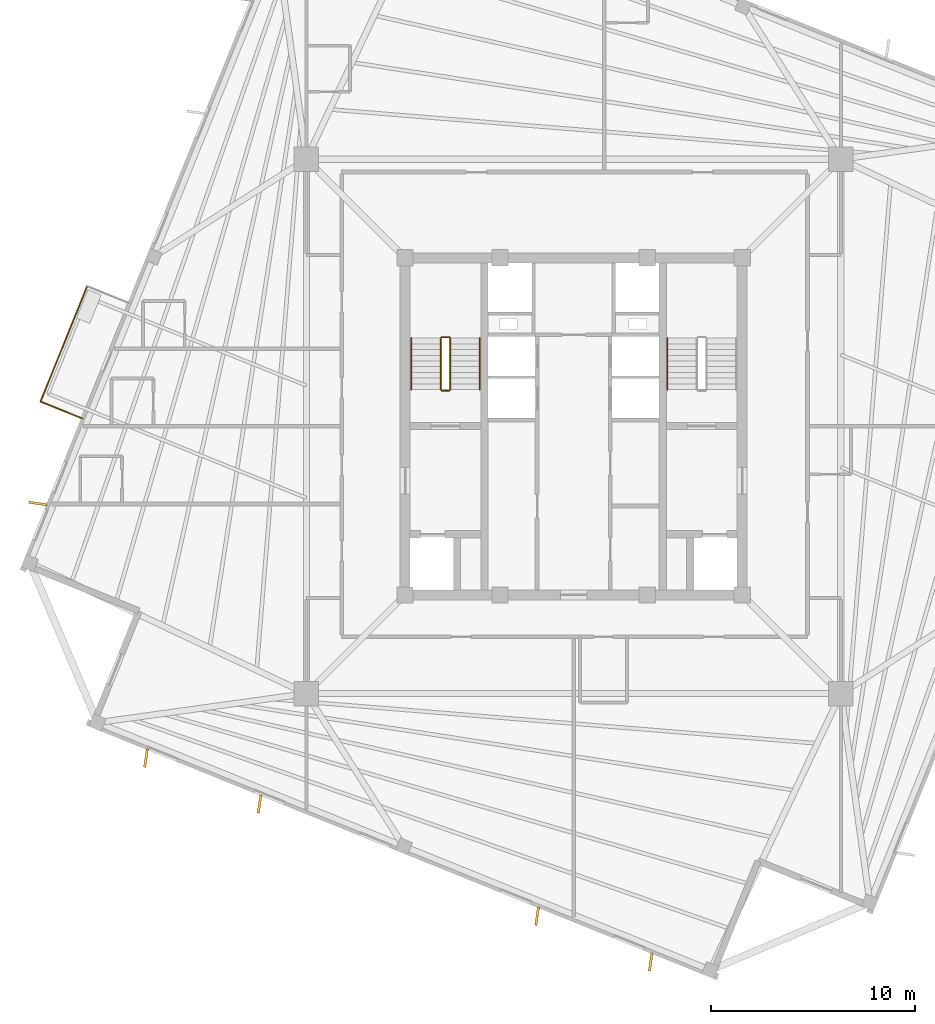
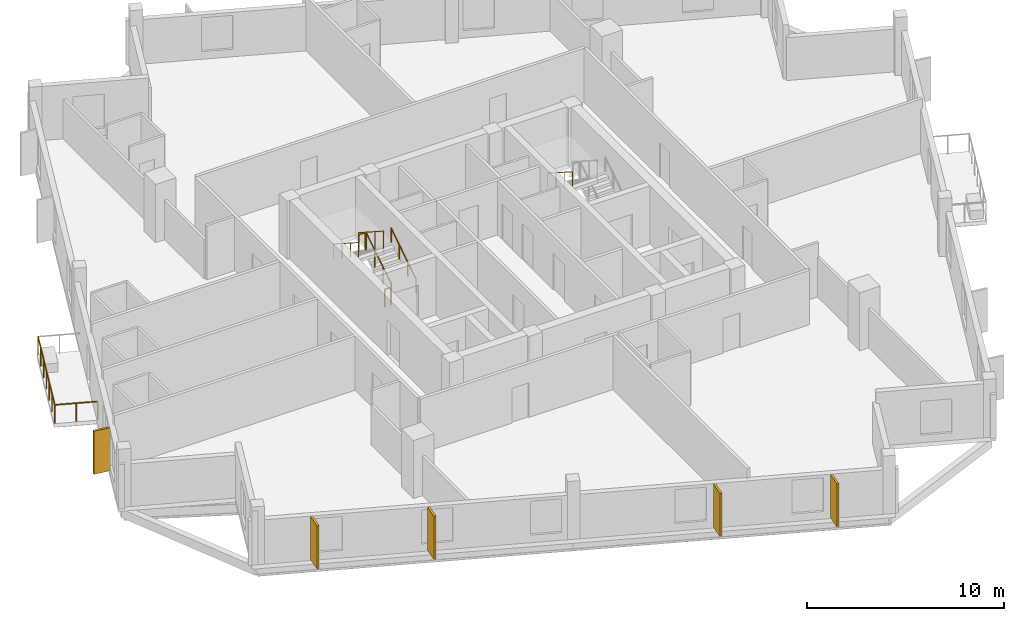
# One storey, part 6 of 8: 9 railings, 5 coverings.
"""IFC4 building model written with IfcOpenShell, lengths in metres."""

from ifc_helpers import new_model, si_unit, direction, frame, origin, origin_2d, place, context, subcontext, project, spatial, rectangle, circle, extrude, source, transform, mapped, material, layer, layer_set, type_object, element, save


model = new_model("IFC4")

# Units and contexts
model_context = context("Model", 3, precision=1e-05, world=origin(), true_north=direction((0.0, 1.0)))
body_context = subcontext(model_context, "Body", "Model", "MODEL_VIEW")
ifc_project = project(units=[si_unit("LENGTHUNIT", "METRE"), si_unit("AREAUNIT", "SQUARE_METRE"), si_unit("VOLUMEUNIT", "CUBIC_METRE"), si_unit("PLANEANGLEUNIT", "RADIAN"), si_unit("MASSUNIT", "GRAM", prefix="KILO"), si_unit("THERMODYNAMICTEMPERATUREUNIT", "KELVIN")], contexts=[model_context])

# Site, building, storey
site_placement = place(None, origin())
site = spatial("IfcSite", under=ifc_project, at=site_placement, CompositionType="ELEMENT")
building_placement = place(site_placement, origin())
building = spatial("IfcBuilding", under=site, at=building_placement, Name="Kosmvard Interchange Tower", CompositionType="ELEMENT")
storey_placement = place(building_placement, frame((0.0, 0.0, 290.39990234375)))
storey = spatial("IfcBuildingStorey", under=building, at=storey_placement, Name="L71", CompositionType="ELEMENT", Elevation=290.39990234375)

# Railing
ifc_material_1 = material(Name="Steel S355", Category="steel")
railing_type_1 = type_object("IfcRailingType", Name="Observation & Balcony Glass-Infill Balustrade 1150", PredefinedType="BALUSTRADE", material=ifc_material_1)
shared_shape_1 = source(origin(), body_context, "Body", "SweptSolid", [
    extrude(circle(Radius=0.02392578125, at=origin_2d()), frame((0.0, 0.0, 1.1259765625), z_axis=(0.927208487558, -0.374545618852, 0.0), x_axis=(0.374545618852, 0.927208487558, 0.0)), (0.0, 0.0, 1.0), 2.199951171875),
    extrude(circle(Radius=0.02099609375, at=origin_2d()), origin(), (0.0, 0.0, 1.0), 1.101806640625),
    extrude(circle(Radius=0.02099609375, at=origin_2d()), frame((1.02001953125, -0.412109375, 0.0)), (0.0, 0.0, 1.0), 1.101806640625),
    extrude(circle(Radius=0.02099609375, at=origin_2d()), frame((2.039794921875, -0.823974609375, 0.0)), (0.0, 0.0, 1.0), 1.101806640625),
])
railing_1_placement = place(storey_placement, frame((-26.095458984375, 1.2138671875, 0.0)))
element("IfcRailing", 1, at=railing_1_placement, inside=storey, type_object=railing_type_1, Name="L71 Outdoor Terrace Guard BAL-L71-NE-C", PredefinedType="BALUSTRADE", context=body_context, shape_type="MappedRepresentation", body=[
    mapped(shared_shape_1, transform((0.0, 0.0, 0.0), scale=1.0)),
])

# Coverings
ifc_material_2 = material(Name="Architectural anodised aluminium", Category="aluminium")
ifc_layer = layer(ifc_material_2, 0.1201171875, Name="Architectural anodised aluminium")
ifc_layer_set = layer_set([ifc_layer], Name="Architectural anodised aluminium")
covering_type = type_object("IfcCoveringType", Name="Rotating Vertical Sun-Breaker Fin 900x120 Aluminium", PredefinedType="CLADDING", material=ifc_layer_set)
shared_shape_2 = source(origin(), body_context, "Body", "SweptSolid", [
    extrude(rectangle(XDim=0.89990234375, YDim=0.1201171875, at=origin_2d()), origin(), (0.0, 0.0, 1.0), 2.669921875),
])
for number, where, z_axis, x_axis, name in (
    (2, (-26.223876953125, -3.775390625, 0.0400390625), (0.0, 0.0, 1.0), (-0.98965138682, 0.143492621991, 0.0), "L71 Rotating Vertical Sun-Breaker Fin 10"),
    (3, (-20.932373046875, -16.2412109375, 0.0400390625), (0.0, 0.0, 1.0), (-0.143492621991, -0.98965138682, 0.0), "L71 Rotating Vertical Sun-Breaker Fin 11"),
    (4, (-15.373046875, -18.4873046875, 0.0400390625), (0.0, 0.0, 1.0), (-0.143492621991, -0.98965138682, 0.0), "L71 Rotating Vertical Sun-Breaker Fin 12"),
    (5, (-1.783935546875, -23.977783203125, 0.0400390625), (0.0, 0.0, 1.0), (-0.143492621991, -0.98965138682, 0.0), "L71 Rotating Vertical Sun-Breaker Fin 13"),
    (6, (3.775390625, -26.223876953125, 0.0400390625), (0.0, 0.0, 1.0), (-0.143492621991, -0.98965138682, 0.0), "L71 Rotating Vertical Sun-Breaker Fin 14"),
):
    element("IfcCovering", number, at=place(storey_placement, frame(where, z_axis=z_axis, x_axis=x_axis)), inside=storey, type_object=covering_type, Name=name, PredefinedType="CLADDING", context=body_context, shape_type="MappedRepresentation", body=[
        mapped(shared_shape_2, transform((0.0, 0.0, 0.0), scale=1.0)),
    ])

# Railings
shared_shape_3 = source(origin(), body_context, "Body", "SweptSolid", [
    extrude(circle(Radius=0.02392578125, at=origin_2d()), frame((0.0, 0.0, 1.1259765625), z_axis=(-0.374617894384, -0.927179288599, 0.0), x_axis=(0.927179288599, -0.374617894384, 0.0)), (0.0, 0.0, 1.0), 6.099853515625),
    extrude(circle(Radius=0.02099609375, at=origin_2d()), origin(), (0.0, 0.0, 1.0), 1.101806640625),
    extrude(circle(Radius=0.02099609375, at=origin_2d()), frame((-0.380859375, -0.942626953125, 0.0)), (0.0, 0.0, 1.0), 1.101806640625),
    extrude(circle(Radius=0.02099609375, at=origin_2d()), frame((-0.76171875, -1.88525390625, 0.0)), (0.0, 0.0, 1.0), 1.101806640625),
    extrude(circle(Radius=0.02099609375, at=origin_2d()), frame((-1.142578125, -2.827880859375, 0.0)), (0.0, 0.0, 1.0), 1.101806640625),
    extrude(circle(Radius=0.02099609375, at=origin_2d()), frame((-1.5234375, -3.7705078125, 0.0)), (0.0, 0.0, 1.0), 1.101806640625),
    extrude(circle(Radius=0.02099609375, at=origin_2d()), frame((-1.904296875, -4.713134765625, 0.0)), (0.0, 0.0, 1.0), 1.101806640625),
    extrude(circle(Radius=0.02099609375, at=origin_2d()), frame((-2.28515625, -5.65576171875, 0.0)), (0.0, 0.0, 1.0), 1.101806640625),
])
railing_2_placement = place(storey_placement, frame((-23.810302734375, 6.86962890625, 0.0)))
element("IfcRailing", 7, at=railing_2_placement, inside=storey, type_object=railing_type_1, Name="L71 Outdoor Terrace Guard BAL-L71-NE-B", PredefinedType="BALUSTRADE", context=body_context, shape_type="MappedRepresentation", body=[
    mapped(shared_shape_3, transform((0.0, 0.0, 0.0), scale=1.0)),
])
railing_type_2 = type_object("IfcRailingType", Name="Stair & Terrace Safety Guardrail 1100 Steel", PredefinedType="GUARDRAIL", material=ifc_material_1)
shared_shape_4 = source(origin(), body_context, "Body", "SweptSolid", [
    extrude(circle(Radius=0.02392578125, at=origin_2d()), frame((0.0, 0.0, 1.076171875), z_axis=(-1.0, 0.0, 0.0), x_axis=(0.0, -1.0, 0.0)), (0.0, 0.0, 1.0), 0.35986328125),
    extrude(circle(Radius=0.02099609375, at=origin_2d()), origin(), (0.0, 0.0, 1.0), 1.052001953125),
    extrude(circle(Radius=0.02099609375, at=origin_2d()), frame((-0.35986328125, 0.0, 0.0)), (0.0, 0.0, 1.0), 1.052001953125),
])
for number, where, name in (
    (8, (-6.090087890625, 4.3701171875, 1.800048828125), "L71 ST-1 stair guard 2"),
    (9, (-6.090087890625, 1.75, 0.0), "L71 ST-1 stair guard 4"),
):
    element("IfcRailing", number, at=place(storey_placement, frame(where)), inside=storey, type_object=railing_type_2, Name=name, PredefinedType="GUARDRAIL", context=body_context, shape_type="MappedRepresentation", body=[
        mapped(shared_shape_4, transform((0.0, 0.0, 0.0), scale=1.0)),
    ])
shared_shape_5 = source(origin(), body_context, "Body", "SweptSolid", [
    extrude(circle(Radius=0.02392578125, at=origin_2d()), frame((0.0, 0.0, 1.076171875), z_axis=(0.0, -0.841162588446, 0.540782303519), x_axis=(1.0, 0.0, 0.0)), (0.0, 0.0, 1.0), 2.995849609375),
    extrude(circle(Radius=0.02099609375, at=origin_2d()), origin(), (0.0, 0.0, 1.0), 1.052001953125),
    extrude(circle(Radius=0.02099609375, at=origin_2d()), frame((0.0, -0.840087890625, 0.5400390625)), (0.0, 0.0, 1.0), 1.052001953125),
    extrude(circle(Radius=0.02099609375, at=origin_2d()), frame((0.0, -1.679931640625, 1.080078125)), (0.0, 0.0, 1.0), 1.052001953125),
    extrude(circle(Radius=0.02099609375, at=origin_2d()), frame((0.0, -2.52001953125, 1.6201171875)), (0.0, 0.0, 1.0), 1.052001953125),
])
railing_3_placement = place(storey_placement, frame((-6.5, 4.320068359375, 1.97998046875)))
element("IfcRailing", 10, at=railing_3_placement, inside=storey, type_object=railing_type_2, Name="L71 ST-1 stair guard 3", PredefinedType="GUARDRAIL", context=body_context, shape_type="MappedRepresentation", body=[
    mapped(shared_shape_5, transform((0.0, 0.0, 0.0), scale=1.0)),
])
railing_type_3 = type_object("IfcRailingType", Name="Wall-Mounted Stair Handrail 900 Steel", PredefinedType="HANDRAIL", material=ifc_material_1)
shared_shape_6 = source(origin(), body_context, "Body", "SweptSolid", [
    extrude(circle(Radius=0.02392578125, at=origin_2d()), frame((0.0, 0.0, 0.8759765625), z_axis=(0.0, -0.841162588446, 0.540782303519), x_axis=(1.0, 0.0, 0.0)), (0.0, 0.0, 1.0), 2.995849609375),
    extrude(circle(Radius=0.02099609375, at=origin_2d()), origin(), (0.0, 0.0, 1.0), 0.851806640625),
    extrude(circle(Radius=0.02099609375, at=origin_2d()), frame((0.0, -0.840087890625, 0.5400390625)), (0.0, 0.0, 1.0), 0.851806640625),
    extrude(circle(Radius=0.02099609375, at=origin_2d()), frame((0.0, -1.679931640625, 1.080078125)), (0.0, 0.0, 1.0), 0.851806640625),
    extrude(circle(Radius=0.02099609375, at=origin_2d()), frame((0.0, -2.52001953125, 1.6201171875)), (0.0, 0.0, 1.0), 0.851806640625),
])
for number, where, name in (
    (11, (-7.949951171875, 4.320068359375, 1.97998046875), "L71 ST-1 stair handrail 2"),
    (12, (4.590087890625, 4.320068359375, 1.97998046875), "L71 ST-2 stair handrail 2"),
):
    element("IfcRailing", number, at=place(storey_placement, frame(where)), inside=storey, type_object=railing_type_3, Name=name, PredefinedType="HANDRAIL", context=body_context, shape_type="MappedRepresentation", body=[
        mapped(shared_shape_6, transform((0.0, 0.0, 0.0), scale=1.0)),
    ])
shared_shape_7 = source(origin(), body_context, "Body", "SweptSolid", [
    extrude(circle(Radius=0.02392578125, at=origin_2d()), frame((0.0, 0.0, 1.076171875), z_axis=(0.0, 0.841199657755, 0.540724639528), x_axis=(-1.0, 0.0, 0.0)), (0.0, 0.0, 1.0), 2.995849609375),
    extrude(circle(Radius=0.02099609375, at=origin_2d()), origin(), (0.0, 0.0, 1.0), 1.052001953125),
    extrude(circle(Radius=0.02099609375, at=origin_2d()), frame((0.0, 0.840087890625, 0.5400390625)), (0.0, 0.0, 1.0), 1.052001953125),
    extrude(circle(Radius=0.02099609375, at=origin_2d()), frame((0.0, 1.679931640625, 1.079833984375)), (0.0, 0.0, 1.0), 1.052001953125),
    extrude(circle(Radius=0.02099609375, at=origin_2d()), frame((0.0, 2.52001953125, 1.619873046875)), (0.0, 0.0, 1.0), 1.052001953125),
])
railing_4_placement = place(storey_placement, frame((-6.0400390625, 1.800048828125, 0.18017578125)))
element("IfcRailing", 13, at=railing_4_placement, inside=storey, type_object=railing_type_2, Name="L71 ST-1 stair guard 1", PredefinedType="GUARDRAIL", context=body_context, shape_type="MappedRepresentation", body=[
    mapped(shared_shape_7, transform((0.0, 0.0, 0.0), scale=1.0)),
])
shared_shape_8 = source(origin(), body_context, "Body", "SweptSolid", [
    extrude(circle(Radius=0.02392578125, at=origin_2d()), frame((0.0, 0.0, 0.8759765625), z_axis=(0.0, 0.841199657755, 0.540724639528), x_axis=(-1.0, 0.0, 0.0)), (0.0, 0.0, 1.0), 2.995849609375),
    extrude(circle(Radius=0.02099609375, at=origin_2d()), origin(), (0.0, 0.0, 1.0), 0.851806640625),
    extrude(circle(Radius=0.02099609375, at=origin_2d()), frame((0.0, 0.840087890625, 0.5400390625)), (0.0, 0.0, 1.0), 0.851806640625),
    extrude(circle(Radius=0.02099609375, at=origin_2d()), frame((0.0, 1.679931640625, 1.079833984375)), (0.0, 0.0, 1.0), 0.851806640625),
    extrude(circle(Radius=0.02099609375, at=origin_2d()), frame((0.0, 2.52001953125, 1.619873046875)), (0.0, 0.0, 1.0), 0.851806640625),
])
railing_5_placement = place(storey_placement, frame((-4.590087890625, 1.800048828125, 0.18017578125)))
element("IfcRailing", 14, at=railing_5_placement, inside=storey, type_object=railing_type_3, Name="L71 ST-1 stair handrail 1", PredefinedType="HANDRAIL", context=body_context, shape_type="MappedRepresentation", body=[
    mapped(shared_shape_8, transform((0.0, 0.0, 0.0), scale=1.0)),
])

save(model, "model.ifc")
